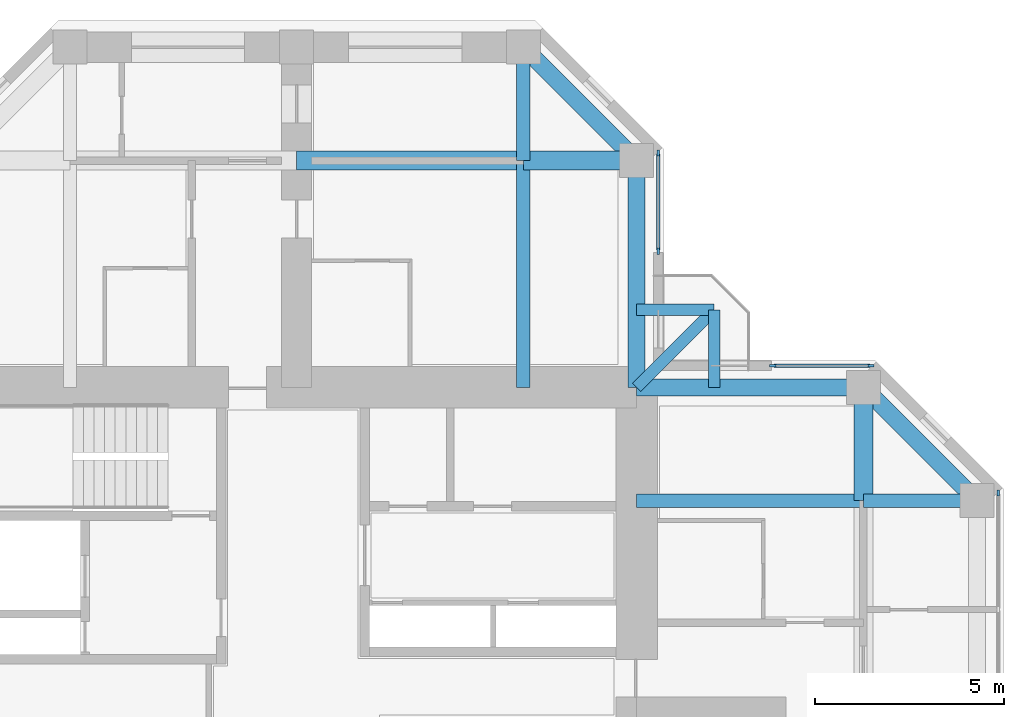
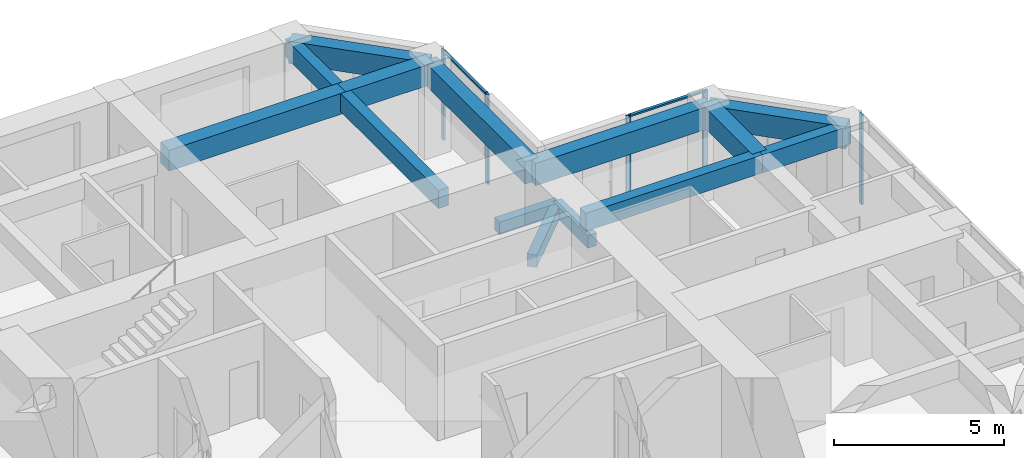
# One storey, part 6 of 14: 14 beams, 7 members, 3 elements without a shape of their own.
"""IFC4 building model written with IfcOpenShell, lengths in metres."""

from ifc_helpers import new_model, si_unit, direction, frame, origin, origin_2d, place, context, subcontext, project, spatial, rectangle, extrude, material, material_profile, profile_set, type_object, element, aggregate, save


model = new_model("IFC4")

# Units and contexts
model_context = context("Model", 3, precision=1e-05, world=origin(), true_north=direction((0.0, 1.0)))
body_context = subcontext(model_context, "Body", "Model", "MODEL_VIEW")
ifc_project = project(units=[si_unit("LENGTHUNIT", "METRE"), si_unit("AREAUNIT", "SQUARE_METRE"), si_unit("VOLUMEUNIT", "CUBIC_METRE"), si_unit("PLANEANGLEUNIT", "RADIAN"), si_unit("MASSUNIT", "GRAM", prefix="KILO")], contexts=[model_context])

# Site, building, storey
site_placement = place(None, origin())
site = spatial("IfcSite", under=ifc_project, at=site_placement, CompositionType="ELEMENT")
building_placement = place(site_placement, origin())
building = spatial("IfcBuilding", under=site, at=building_placement, Name="Torre Cruceta", CompositionType="ELEMENT")
storey_placement = place(building_placement, frame((0.0, 0.0, 172.89990234375)))
storey = spatial("IfcBuildingStorey", under=building, at=storey_placement, Name="L42", CompositionType="ELEMENT", Elevation=172.89990234375)

# Beams
ifc_material_1 = material(Name="Concrete G60 (fck 60 MPa)", Category="concrete")
ifc_material_profile_1 = material_profile(ifc_material_1, rectangle(XDim=0.300048828125, YDim=0.449951171875, at=origin_2d()), Name="RC 300X450")
ifc_profile_set_1 = profile_set([ifc_material_profile_1], Name="Concrete G60 (fck 60 MPa)")
beam_type_1 = type_object("IfcBeamType", Name="BALCONY CANTILEVER BEAM RC 300X450", PredefinedType="BEAM", material=ifc_profile_set_1)
beam_1_placement = place(storey_placement, frame((9.0, 9.0, -0.40478515625), z_axis=(0.707106781187, 0.707106781187, 0.0), x_axis=(-0.707106781187, 0.707106781187, 0.0)))
element("IfcBeam", 1, at=beam_1_placement, inside=storey, type_object=beam_type_1, Name="BB1 balcony beam L42 E", PredefinedType="BEAM", context=body_context, shape_type="SweptSolid", body=[
    extrude(rectangle(XDim=0.300048828125, YDim=0.449951171875, at=origin_2d()), origin(), (0.0, 0.0, 1.0), 2.89990234375),
])
for number, where, z_axis, x_axis, name in (
    (2, (11.050537109375, 9.0, -0.40478515625), (0.0, 1.0, 0.0), (-1.0, 0.0, 0.0), "BB1 balcony edge beam L42 E-X"),
    (3, (9.0, 11.050537109375, -0.40478515625), (1.0, 0.0, 0.0), (0.0, 1.0, 0.0), "BB1 balcony edge beam L42 E-Y"),
):
    element("IfcBeam", number, at=place(storey_placement, frame(where, z_axis=z_axis, x_axis=x_axis)), inside=storey, type_object=beam_type_1, Name=name, PredefinedType="BEAM", context=body_context, shape_type="SweptSolid", body=[
        extrude(rectangle(XDim=0.300048828125, YDim=0.449951171875, at=origin_2d()), origin(), (0.0, 0.0, 1.0), 2.050537109375),
    ])
ifc_material_2 = material(Name="Concrete G60 (fck 60 MPa)", Category="concrete")
ifc_material_profile_2 = material_profile(ifc_material_2, rectangle(XDim=0.35009765625, YDim=0.64990234375, at=origin_2d()), Name="RC 350X650")
ifc_profile_set_2 = profile_set([ifc_material_profile_2], Name="Concrete G60 (fck 60 MPa)")
beam_type_2 = type_object("IfcBeamType", Name="COLUMN LINE BEAM RC 350X650", PredefinedType="BEAM", material=ifc_profile_set_2)
beam_2_placement = place(storey_placement, frame((6.0, 9.0, 2.89501953125), z_axis=(0.0, 1.0, 0.0), x_axis=(-1.0, 0.0, 0.0)))
element("IfcBeam", 4, at=beam_2_placement, inside=storey, type_object=beam_type_2, Name="LB7 L42 N col- 1", PredefinedType="BEAM", context=body_context, shape_type="SweptSolid", body=[
    extrude(rectangle(XDim=0.35009765625, YDim=0.64990234375, at=origin_2d()), origin(), (0.0, 0.0, 1.0), 6.0),
])
beam_3_placement = place(storey_placement, frame((6.0, 15.0, 2.89501953125), z_axis=(0.0, 1.0, 0.0), x_axis=(-1.0, 0.0, 0.0)))
element("IfcBeam", 5, at=beam_3_placement, inside=storey, type_object=beam_type_2, Name="LB7 L42 N col- 2", PredefinedType="BEAM", context=body_context, shape_type="SweptSolid", body=[
    extrude(rectangle(XDim=0.35009765625, YDim=0.64990234375, at=origin_2d()), origin(), (0.0, 0.0, 1.0), 3.0),
])
beam_4_placement = place(storey_placement, frame((9.0, 6.0, 2.89501953125), z_axis=(1.0, 0.0, 0.0), x_axis=(0.0, 1.0, 0.0)))
element("IfcBeam", 6, at=beam_4_placement, inside=storey, type_object=beam_type_2, Name="LB7 L42 E col+ 1", PredefinedType="BEAM", context=body_context, shape_type="SweptSolid", body=[
    extrude(rectangle(XDim=0.35009765625, YDim=0.64990234375, at=origin_2d()), origin(), (0.0, 0.0, 1.0), 6.0),
])
beam_5_placement = place(storey_placement, frame((15.0, 6.0, 2.89501953125), z_axis=(1.0, 0.0, 0.0), x_axis=(0.0, 1.0, 0.0)))
element("IfcBeam", 7, at=beam_5_placement, inside=storey, type_object=beam_type_2, Name="LB7 L42 E col+ 2", PredefinedType="BEAM", context=body_context, shape_type="SweptSolid", body=[
    extrude(rectangle(XDim=0.35009765625, YDim=0.64990234375, at=origin_2d()), origin(), (0.0, 0.0, 1.0), 3.0),
])
ifc_material_3 = material(Name="Concrete G60 (fck 60 MPa)", Category="concrete")
ifc_material_profile_3 = material_profile(ifc_material_3, rectangle(XDim=0.5, YDim=0.75, at=origin_2d()), Name="RC 500X750")
ifc_profile_set_3 = profile_set([ifc_material_profile_3], Name="Concrete G60 (fck 60 MPa)")
beam_type_3 = type_object("IfcBeamType", Name="CROSS BEAM RC 500X750", PredefinedType="BEAM", material=ifc_profile_set_3)
beam_6_placement = place(storey_placement, frame((9.0, 15.0, 2.84521484375), z_axis=(-1.0, 0.0, 0.0), x_axis=(0.0, -1.0, 0.0)))
element("IfcBeam", 8, at=beam_6_placement, inside=storey, type_object=beam_type_3, Name="GB6 L42 N cross15 1", PredefinedType="BEAM", context=body_context, shape_type="SweptSolid", body=[
    extrude(rectangle(XDim=0.5, YDim=0.75, at=origin_2d()), origin(), (0.0, 0.0, 1.0), 3.0),
])
beam_7_placement = place(storey_placement, frame((6.0, 15.0, 2.84521484375), z_axis=(-1.0, 0.0, 0.0), x_axis=(0.0, -1.0, 0.0)))
element("IfcBeam", 9, at=beam_7_placement, inside=storey, type_object=beam_type_3, Name="GB6 L42 N cross15 2", PredefinedType="BEAM", context=body_context, shape_type="SweptSolid", body=[
    extrude(rectangle(XDim=0.5, YDim=0.75, at=origin_2d()), origin(), (0.0, 0.0, 1.0), 6.0),
])
beam_8_placement = place(storey_placement, frame((15.0, 6.0, 2.84521484375), z_axis=(0.0, 1.0, 0.0), x_axis=(-1.0, 0.0, 0.0)))
element("IfcBeam", 10, at=beam_8_placement, inside=storey, type_object=beam_type_3, Name="GB6 L42 E cross15 4", PredefinedType="BEAM", context=body_context, shape_type="SweptSolid", body=[
    extrude(rectangle(XDim=0.5, YDim=0.75, at=origin_2d()), origin(), (0.0, 0.0, 1.0), 3.0),
])

# Curtain wall, member
ifc_material_4 = material(Name="Aluminium unitised curtain wall", Category="aluminium")
curtain_wall_type = type_object("IfcCurtainWallType", Name="CURTAIN WALL CW-C CO-LIVING", PredefinedType="USERDEFINED", material=ifc_material_4)
curtain_wall_1_placement = place(storey_placement, origin())
curtain_wall_1 = element("IfcCurtainWall", 11, at=curtain_wall_1_placement, inside=storey, type_object=curtain_wall_type, Name="CW-C L42 E tip 02", ObjectType="UNITISED", PredefinedType="USERDEFINED")
ifc_material_5 = material(Name="Aluminium mullion", Category="aluminium")
ifc_material_profile_4 = material_profile(ifc_material_5, rectangle(XDim=0.06005859375, YDim=0.159912109375, at=origin_2d()), Name="AL 60X160")
ifc_profile_set_4 = profile_set([ifc_material_profile_4], Name="Aluminium mullion")
member_type_1 = type_object("IfcMemberType", Name="CW-C MULLION 60X160", PredefinedType="MULLION", material=ifc_profile_set_4)
member_1_placement = place(storey_placement, frame((18.570068359375, 6.2060546875, 0.0), z_axis=(0.0, 0.0, 1.0), x_axis=(-1.0, 0.0, 0.0)))
member_1 = element("IfcMember", 12, at=member_1_placement, type_object=member_type_1, Name="CW-C mullion 5", PredefinedType="MULLION", context=body_context, shape_type="SweptSolid", body=[
    extrude(rectangle(XDim=0.06005859375, YDim=0.159912109375, at=origin_2d()), origin(), (0.0, 0.0, 1.0), 3.22021484375),
])
aggregate(curtain_wall_1, [member_1])

# Curtain wall, members
curtain_wall_2_placement = place(storey_placement, origin())
curtain_wall_2 = element("IfcCurtainWall", 13, at=curtain_wall_2_placement, inside=storey, type_object=curtain_wall_type, Name="CW-C L42 E side 04", ObjectType="UNITISED", PredefinedType="USERDEFINED")
member_2_placement = place(storey_placement, frame((15.2060546875, 9.570068359375, 0.0), z_axis=(0.0, 0.0, 1.0), x_axis=(0.0, -1.0, 0.0)))
member_2 = element("IfcMember", 14, at=member_2_placement, type_object=member_type_1, Name="CW-C mullion 1", PredefinedType="MULLION", context=body_context, shape_type="SweptSolid", body=[
    extrude(rectangle(XDim=0.06005859375, YDim=0.159912109375, at=origin_2d()), origin(), (0.0, 0.0, 1.0), 3.22021484375),
])
member_3_placement = place(storey_placement, frame((12.60009765625, 9.570068359375, 0.0), z_axis=(0.0, 0.0, 1.0), x_axis=(0.0, -1.0, 0.0)))
member_3 = element("IfcMember", 15, at=member_3_placement, type_object=member_type_1, Name="CW-C mullion 2", PredefinedType="MULLION", context=body_context, shape_type="SweptSolid", body=[
    extrude(rectangle(XDim=0.06005859375, YDim=0.159912109375, at=origin_2d()), origin(), (0.0, 0.0, 1.0), 3.22021484375),
])

curtain_wall_3_placement = place(storey_placement, origin())
curtain_wall_3 = element("IfcCurtainWall", 16, at=curtain_wall_3_placement, inside=storey, type_object=curtain_wall_type, Name="CW-C L42 N side 05", ObjectType="UNITISED", PredefinedType="USERDEFINED")
member_4_placement = place(storey_placement, frame((9.570068359375, 12.60009765625, 0.0), z_axis=(0.0, 0.0, 1.0), x_axis=(-1.0, 0.0, 0.0)))
member_4 = element("IfcMember", 17, at=member_4_placement, type_object=member_type_1, Name="CW-C mullion 1", PredefinedType="MULLION", context=body_context, shape_type="SweptSolid", body=[
    extrude(rectangle(XDim=0.06005859375, YDim=0.159912109375, at=origin_2d()), origin(), (0.0, 0.0, 1.0), 3.22021484375),
])
member_5_placement = place(storey_placement, frame((9.570068359375, 15.2060546875, 0.0), z_axis=(0.0, 0.0, 1.0), x_axis=(-1.0, 0.0, 0.0)))
member_5 = element("IfcMember", 18, at=member_5_placement, type_object=member_type_1, Name="CW-C mullion 2", PredefinedType="MULLION", context=body_context, shape_type="SweptSolid", body=[
    extrude(rectangle(XDim=0.06005859375, YDim=0.159912109375, at=origin_2d()), origin(), (0.0, 0.0, 1.0), 3.22021484375),
])

# Member
ifc_material_6 = material(Name="Aluminium transom", Category="aluminium")
ifc_material_profile_5 = material_profile(ifc_material_6, rectangle(XDim=0.10009765625, YDim=0.06005859375, at=origin_2d()), Name="AL 100X60")
ifc_profile_set_5 = profile_set([ifc_material_profile_5], Name="Aluminium transom")
member_type_2 = type_object("IfcMemberType", Name="CW-C TRANSOM 60X100", PredefinedType="USERDEFINED", material=ifc_profile_set_5)
member_6_placement = place(storey_placement, frame((15.176025390625, 9.570068359375, 3.190185546875), z_axis=(-1.0, 0.0, 0.0), x_axis=(0.0, -1.0, 0.0)))
member_6 = element("IfcMember", 19, at=member_6_placement, type_object=member_type_2, Name="CW-C transom 1", ObjectType="TRANSOM", PredefinedType="USERDEFINED", context=body_context, shape_type="SweptSolid", body=[
    extrude(rectangle(XDim=0.10009765625, YDim=0.06005859375, at=origin_2d()), origin(), (0.0, 0.0, 1.0), 2.546142578125),
])

aggregate(curtain_wall_2, [member_2, member_3, member_6])

member_7_placement = place(storey_placement, frame((9.570068359375, 12.6298828125, 3.190185546875), z_axis=(0.0, 1.0, 0.0), x_axis=(-1.0, 0.0, 0.0)))
member_7 = element("IfcMember", 20, at=member_7_placement, type_object=member_type_2, Name="CW-C transom 1", ObjectType="TRANSOM", PredefinedType="USERDEFINED", context=body_context, shape_type="SweptSolid", body=[
    extrude(rectangle(XDim=0.10009765625, YDim=0.06005859375, at=origin_2d()), origin(), (0.0, 0.0, 1.0), 2.546142578125),
])

aggregate(curtain_wall_3, [member_4, member_5, member_7])

# Beams
ifc_material_7 = material(Name="Concrete G60 (fck 60 MPa)", Category="concrete")
ifc_material_profile_6 = material_profile(ifc_material_7, rectangle(XDim=0.449951171875, YDim=0.800048828125, at=origin_2d()), Name="RC 450X800")
ifc_profile_set_6 = profile_set([ifc_material_profile_6], Name="Concrete G60 (fck 60 MPa)")
beam_type_4 = type_object("IfcBeamType", Name="SPANDREL BEAM RC 450X800", PredefinedType="SPANDREL", material=ifc_profile_set_6)
beam_9_placement = place(storey_placement, frame((9.0, 9.0, 2.820068359375), z_axis=(0.0, 1.0, 0.0), x_axis=(-1.0, 0.0, 0.0)))
element("IfcBeam", 21, at=beam_9_placement, inside=storey, type_object=beam_type_4, Name="SB6 L42 N side- 1", PredefinedType="SPANDREL", context=body_context, shape_type="SweptSolid", body=[
    extrude(rectangle(XDim=0.449951171875, YDim=0.800048828125, at=origin_2d()), origin(), (0.0, 0.0, 1.0), 6.0),
])
beam_10_placement = place(storey_placement, frame((9.0, 15.0, 2.820068359375), z_axis=(-0.707106781187, 0.707106781187, 0.0), x_axis=(-0.707106781187, -0.707106781187, 0.0)))
element("IfcBeam", 22, at=beam_10_placement, inside=storey, type_object=beam_type_4, Name="SB6 L42 N side- 2", PredefinedType="SPANDREL", context=body_context, shape_type="SweptSolid", body=[
    extrude(rectangle(XDim=0.449951171875, YDim=0.800048828125, at=origin_2d()), origin(), (0.0, 0.0, 1.0), 4.24267578125),
])
beam_11_placement = place(storey_placement, frame((9.0, 9.0, 2.820068359375), z_axis=(1.0, 0.0, 0.0), x_axis=(0.0, 1.0, 0.0)))
element("IfcBeam", 23, at=beam_11_placement, inside=storey, type_object=beam_type_4, Name="SB6 L42 E side+ 1", PredefinedType="SPANDREL", context=body_context, shape_type="SweptSolid", body=[
    extrude(rectangle(XDim=0.449951171875, YDim=0.800048828125, at=origin_2d()), origin(), (0.0, 0.0, 1.0), 6.0),
])
beam_12_placement = place(storey_placement, frame((15.0, 9.0, 2.820068359375), z_axis=(0.707106781187, -0.707106781187, 0.0), x_axis=(0.707106781187, 0.707106781187, 0.0)))
element("IfcBeam", 24, at=beam_12_placement, inside=storey, type_object=beam_type_4, Name="SB6 L42 E side+ 2", PredefinedType="SPANDREL", context=body_context, shape_type="SweptSolid", body=[
    extrude(rectangle(XDim=0.449951171875, YDim=0.800048828125, at=origin_2d()), origin(), (0.0, 0.0, 1.0), 4.24267578125),
])

save(model, "model.ifc")
